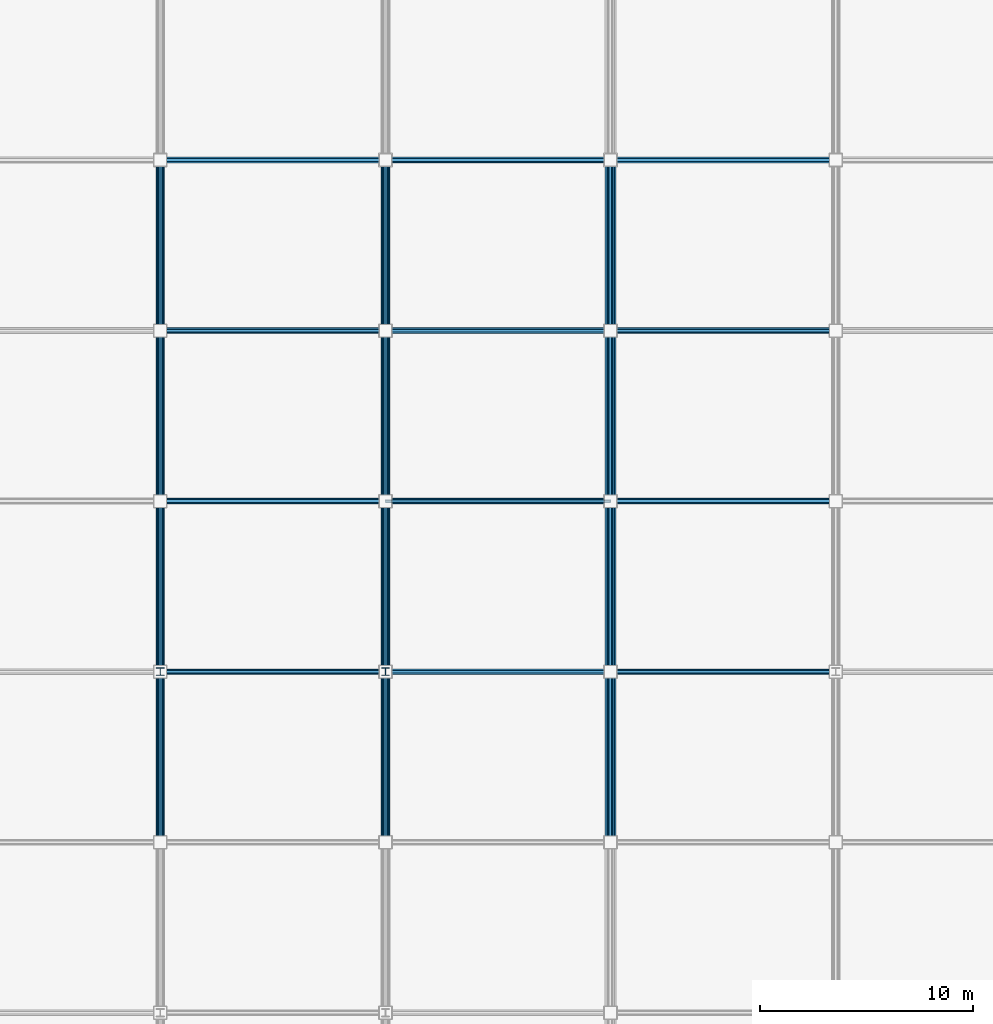
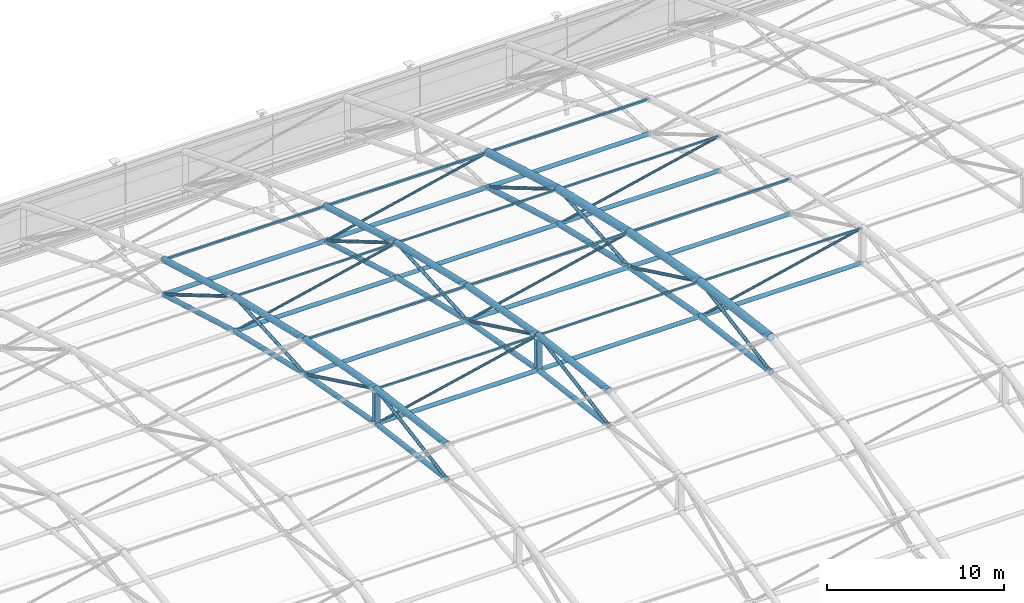
# One storey, part 20 of 42: 68 members.
"""IFC4 building model written with IfcOpenShell, lengths in metres."""

from ifc_helpers import new_model, si_unit, direction, frame, origin, origin_2d, place, context, subcontext, project, spatial, hollow_rectangle, hollow_circle, i_section, extrude, material, material_profile, profile_set, type_object, element, save


model = new_model("IFC4")

# Units and contexts
model_context = context("Model", 3, precision=1e-05, world=origin(), true_north=direction((0.0, 1.0)))
body_context = subcontext(model_context, "Body", "Model", "MODEL_VIEW")
ifc_project = project(units=[si_unit("LENGTHUNIT", "METRE"), si_unit("AREAUNIT", "SQUARE_METRE"), si_unit("VOLUMEUNIT", "CUBIC_METRE"), si_unit("PLANEANGLEUNIT", "RADIAN"), si_unit("MASSUNIT", "GRAM", prefix="KILO")], contexts=[model_context])

# Site, building, storey
site_placement = place(None, origin())
site = spatial("IfcSite", under=ifc_project, at=site_placement, CompositionType="ELEMENT")
building_placement = place(site_placement, origin())
building = spatial("IfcBuilding", under=site, at=building_placement, Name="Caelomonte Colonnade Arena", CompositionType="ELEMENT")
storey_placement = place(building_placement, frame((0.0, 0.0, 28.199951171875)))
storey = spatial("IfcBuildingStorey", under=building, at=storey_placement, Name="RF", CompositionType="ELEMENT", Elevation=28.199951171875)

# Members
ifc_material_1 = material(Name="Wide-flange steel ASTM A992 Grade 50", Category="steel")
ifc_material_profile_1 = material_profile(ifc_material_1, i_section(OverallWidth=0.368896484375, OverallDepth=0.356201171875, WebThickness=0.01123046875, FlangeThickness=0.01806640625, FilletRadius=0.01513671875, at=origin_2d()), Name="W14X90")
ifc_profile_set_1 = profile_set([ifc_material_profile_1], Name="Wide-flange steel ASTM A992 Grade 50")
member_type_1 = type_object("IfcMemberType", Name="STR-CAT-STR", PredefinedType="STRUT", material=ifc_profile_set_1)
for number, where, z_axis, x_axis, name in (
    (1, (89.280029296875, 75.199951171875, 11.68505859375), (0.0, 0.0, 1.0), (1.0, 0.0, 0.0), "Scoreboard rigging catwalk hanger post 3-7"),
    (2, (99.840087890625, 75.199951171875, 11.68505859375), (0.0, 0.0, 1.0), (1.0, 0.0, 0.0), "Scoreboard rigging catwalk hanger post 4-7"),
):
    element("IfcMember", number, at=place(storey_placement, frame(where, z_axis=z_axis, x_axis=x_axis)), inside=storey, type_object=member_type_1, Name=name, PredefinedType="STRUT", context=body_context, shape_type="SweptSolid", body=[
        extrude(i_section(OverallWidth=0.368896484375, OverallDepth=0.356201171875, WebThickness=0.01123046875, FlangeThickness=0.01806640625, FilletRadius=0.01513671875, at=origin_2d()), origin(), (0.0, 0.0, 1.0), 2.199951171875),
    ])
ifc_material_2 = material(Name="Steel ASTM A500 Grade C", Category="steel")
ifc_material_profile_2 = material_profile(ifc_material_2, hollow_circle(Radius=0.177734375, WallThickness=0.0126953125, at=origin_2d()), Name="CHS355.6X12.7")
ifc_profile_set_2 = profile_set([ifc_material_profile_2], Name="Steel ASTM A500 Grade C")
member_type_2 = type_object("IfcMemberType", Name="STR-SF-BC1", PredefinedType="CHORD", material=ifc_profile_set_2)
member_1_placement = place(storey_placement, frame((110.39990234375, 67.201904296875, 12.599853515625), z_axis=(0.0, 0.992048803131, -0.125853773113), x_axis=(-1.0, 0.0, 0.0)))
element("IfcMember", 3, at=member_1_placement, inside=storey, type_object=member_type_2, Name="Arched roof truss bottom chord 5-6", PredefinedType="CHORD", context=body_context, shape_type="SweptSolid", body=[
    extrude(hollow_circle(Radius=0.177734375, WallThickness=0.0126953125, at=origin_2d()), origin(), (0.0, 0.0, 1.0), 8.060302734375),
])
member_2_placement = place(storey_placement, frame((110.39990234375, 75.201904296875, 11.584716796875), z_axis=(0.0, 0.983990820662, -0.178219148393), x_axis=(-1.0, 0.0, 0.0)))
element("IfcMember", 4, at=member_2_placement, inside=storey, type_object=member_type_2, Name="Arched roof truss bottom chord 5-7", PredefinedType="CHORD", context=body_context, shape_type="SweptSolid", body=[
    extrude(hollow_circle(Radius=0.177734375, WallThickness=0.0126953125, at=origin_2d()), origin(), (0.0, 0.0, 1.0), 8.126220703125),
])
member_3_placement = place(storey_placement, frame((110.39990234375, 83.201904296875, 10.135498046875), z_axis=(0.0, 0.973406253466, -0.229085716955), x_axis=(-1.0, 0.0, 0.0)))
element("IfcMember", 5, at=member_3_placement, inside=storey, type_object=member_type_2, Name="Arched roof truss bottom chord 5-8", PredefinedType="CHORD", context=body_context, shape_type="SweptSolid", body=[
    extrude(hollow_circle(Radius=0.177734375, WallThickness=0.0126953125, at=origin_2d()), origin(), (0.0, 0.0, 1.0), 8.214599609375),
])
member_4_placement = place(storey_placement, frame((110.39990234375, 91.201904296875, 8.25244140625), z_axis=(0.0, 0.960531688459, -0.278170586988), x_axis=(-1.0, 0.0, 0.0)))
element("IfcMember", 6, at=member_4_placement, inside=storey, type_object=member_type_2, Name="Arched roof truss bottom chord 5-9", PredefinedType="CHORD", context=body_context, shape_type="SweptSolid", body=[
    extrude(hollow_circle(Radius=0.177734375, WallThickness=0.0126953125, at=origin_2d()), origin(), (0.0, 0.0, 1.0), 8.32470703125),
])
ifc_material_profile_3 = material_profile(ifc_material_2, hollow_circle(Radius=0.161865234375, WallThickness=0.010009765625, at=origin_2d()), Name="CHS323.9X10.0")
ifc_profile_set_3 = profile_set([ifc_material_profile_3], Name="Steel ASTM A500 Grade C")
member_type_3 = type_object("IfcMemberType", Name="STR-SF-BC2", PredefinedType="CHORD", material=ifc_profile_set_3)
member_5_placement = place(storey_placement, frame((89.280029296875, 67.201904296875, 12.599853515625), z_axis=(0.0, 0.992048803131, -0.125853773113), x_axis=(-1.0, 0.0, 0.0)))
element("IfcMember", 7, at=member_5_placement, inside=storey, type_object=member_type_3, Name="Arched roof truss bottom chord 3-6", PredefinedType="CHORD", context=body_context, shape_type="SweptSolid", body=[
    extrude(hollow_circle(Radius=0.161865234375, WallThickness=0.010009765625, at=origin_2d()), origin(), (0.0, 0.0, 1.0), 8.060302734375),
])
member_6_placement = place(storey_placement, frame((89.280029296875, 75.201904296875, 11.584716796875), z_axis=(0.0, 0.983990820662, -0.178219148393), x_axis=(-1.0, 0.0, 0.0)))
element("IfcMember", 8, at=member_6_placement, inside=storey, type_object=member_type_3, Name="Arched roof truss bottom chord 3-7", PredefinedType="CHORD", context=body_context, shape_type="SweptSolid", body=[
    extrude(hollow_circle(Radius=0.161865234375, WallThickness=0.010009765625, at=origin_2d()), origin(), (0.0, 0.0, 1.0), 8.126220703125),
])
member_7_placement = place(storey_placement, frame((89.280029296875, 83.201904296875, 10.135498046875), z_axis=(0.0, 0.973406253466, -0.229085716955), x_axis=(-1.0, 0.0, 0.0)))
element("IfcMember", 9, at=member_7_placement, inside=storey, type_object=member_type_3, Name="Arched roof truss bottom chord 3-8", PredefinedType="CHORD", context=body_context, shape_type="SweptSolid", body=[
    extrude(hollow_circle(Radius=0.161865234375, WallThickness=0.010009765625, at=origin_2d()), origin(), (0.0, 0.0, 1.0), 8.214599609375),
])
member_8_placement = place(storey_placement, frame((89.280029296875, 91.201904296875, 8.25244140625), z_axis=(0.0, 0.960531688459, -0.278170586988), x_axis=(-1.0, 0.0, 0.0)))
element("IfcMember", 10, at=member_8_placement, inside=storey, type_object=member_type_3, Name="Arched roof truss bottom chord 3-9", PredefinedType="CHORD", context=body_context, shape_type="SweptSolid", body=[
    extrude(hollow_circle(Radius=0.161865234375, WallThickness=0.010009765625, at=origin_2d()), origin(), (0.0, 0.0, 1.0), 8.32470703125),
])
member_9_placement = place(storey_placement, frame((99.840087890625, 67.201904296875, 12.599853515625), z_axis=(0.0, 0.992048803131, -0.125853773113), x_axis=(-1.0, 0.0, 0.0)))
element("IfcMember", 11, at=member_9_placement, inside=storey, type_object=member_type_3, Name="Arched roof truss bottom chord 4-6", PredefinedType="CHORD", context=body_context, shape_type="SweptSolid", body=[
    extrude(hollow_circle(Radius=0.161865234375, WallThickness=0.010009765625, at=origin_2d()), origin(), (0.0, 0.0, 1.0), 8.060302734375),
])
member_10_placement = place(storey_placement, frame((99.840087890625, 75.201904296875, 11.584716796875), z_axis=(0.0, 0.983990820662, -0.178219148393), x_axis=(-1.0, 0.0, 0.0)))
element("IfcMember", 12, at=member_10_placement, inside=storey, type_object=member_type_3, Name="Arched roof truss bottom chord 4-7", PredefinedType="CHORD", context=body_context, shape_type="SweptSolid", body=[
    extrude(hollow_circle(Radius=0.161865234375, WallThickness=0.010009765625, at=origin_2d()), origin(), (0.0, 0.0, 1.0), 8.126220703125),
])
member_11_placement = place(storey_placement, frame((99.840087890625, 83.201904296875, 10.135498046875), z_axis=(0.0, 0.973406253466, -0.229085716955), x_axis=(-1.0, 0.0, 0.0)))
element("IfcMember", 13, at=member_11_placement, inside=storey, type_object=member_type_3, Name="Arched roof truss bottom chord 4-8", PredefinedType="CHORD", context=body_context, shape_type="SweptSolid", body=[
    extrude(hollow_circle(Radius=0.161865234375, WallThickness=0.010009765625, at=origin_2d()), origin(), (0.0, 0.0, 1.0), 8.214599609375),
])
member_12_placement = place(storey_placement, frame((99.840087890625, 91.201904296875, 8.25244140625), z_axis=(0.0, 0.960531688459, -0.278170586988), x_axis=(-1.0, 0.0, 0.0)))
element("IfcMember", 14, at=member_12_placement, inside=storey, type_object=member_type_3, Name="Arched roof truss bottom chord 4-9", PredefinedType="CHORD", context=body_context, shape_type="SweptSolid", body=[
    extrude(hollow_circle(Radius=0.161865234375, WallThickness=0.010009765625, at=origin_2d()), origin(), (0.0, 0.0, 1.0), 8.32470703125),
])
ifc_material_profile_4 = material_profile(ifc_material_2, hollow_rectangle(XDim=0.15234375, YDim=0.15234375, WallThickness=0.008056640625, InnerFilletRadius=0.008056640625, OuterFilletRadius=0.01611328125, at=origin_2d()), Name="HSS152X152X8.0")
ifc_profile_set_4 = profile_set([ifc_material_profile_4], Name="Steel ASTM A500 Grade C")
member_type_4 = type_object("IfcMemberType", Name="STR-SF-PUR2", PredefinedType="PURLIN", material=ifc_profile_set_4)
for number, where, z_axis, x_axis, name in (
    (15, (89.281982421875, 83.199951171875, 12.5361328125), (1.0, 0.0, 0.0), (0.0, 1.0, 0.0), "Arched roof purlin 3-8"),
    (16, (89.281982421875, 99.199951171875, 8.3359375), (1.0, 0.0, 0.0), (0.0, 1.0, 0.0), "Arched roof purlin 3-10"),
    (17, (99.842041015625, 83.199951171875, 12.5361328125), (1.0, 0.0, 0.0), (0.0, 1.0, 0.0), "Arched roof purlin 4-8"),
    (18, (99.842041015625, 99.199951171875, 8.3359375), (1.0, 0.0, 0.0), (0.0, 1.0, 0.0), "Arched roof purlin 4-10"),
    (19, (110.402099609375, 83.199951171875, 12.5361328125), (1.0, 0.0, 0.0), (0.0, 1.0, 0.0), "Arched roof purlin 5-8"),
    (20, (110.402099609375, 99.199951171875, 8.3359375), (1.0, 0.0, 0.0), (0.0, 1.0, 0.0), "Arched roof purlin 5-10"),
):
    element("IfcMember", number, at=place(storey_placement, frame(where, z_axis=z_axis, x_axis=x_axis)), inside=storey, type_object=member_type_4, Name=name, PredefinedType="PURLIN", context=body_context, shape_type="SweptSolid", body=[
        extrude(hollow_rectangle(XDim=0.15234375, YDim=0.15234375, WallThickness=0.008056640625, InnerFilletRadius=0.008056640625, OuterFilletRadius=0.01611328125, at=origin_2d()), origin(), (0.0, 0.0, 1.0), 10.555908203125),
    ])
ifc_material_profile_5 = material_profile(ifc_material_2, hollow_rectangle(XDim=0.126953125, YDim=0.126953125, WallThickness=0.00634765625, InnerFilletRadius=0.00634765625, OuterFilletRadius=0.0126953125, at=origin_2d()), Name="HSS127X127X6.4")
ifc_profile_set_5 = profile_set([ifc_material_profile_5], Name="Steel ASTM A500 Grade C")
member_type_5 = type_object("IfcMemberType", Name="STR-SF-PUR3", PredefinedType="PURLIN", material=ifc_profile_set_5)
for number, where, z_axis, x_axis, name in (
    (21, (89.281982421875, 75.199951171875, 13.985107421875), (1.0, 0.0, 0.0), (0.0, 1.0, 0.0), "Arched roof purlin 3-7"),
    (22, (89.281982421875, 91.199951171875, 10.653076171875), (1.0, 0.0, 0.0), (0.0, 1.0, 0.0), "Arched roof purlin 3-9"),
    (23, (99.842041015625, 75.199951171875, 13.985107421875), (1.0, 0.0, 0.0), (0.0, 1.0, 0.0), "Arched roof purlin 4-7"),
    (24, (99.842041015625, 91.199951171875, 10.653076171875), (1.0, 0.0, 0.0), (0.0, 1.0, 0.0), "Arched roof purlin 4-9"),
    (25, (110.402099609375, 75.199951171875, 13.985107421875), (1.0, 0.0, 0.0), (0.0, 1.0, 0.0), "Arched roof purlin 5-7"),
    (26, (110.402099609375, 91.199951171875, 10.653076171875), (1.0, 0.0, 0.0), (0.0, 1.0, 0.0), "Arched roof purlin 5-9"),
):
    element("IfcMember", number, at=place(storey_placement, frame(where, z_axis=z_axis, x_axis=x_axis)), inside=storey, type_object=member_type_5, Name=name, PredefinedType="PURLIN", context=body_context, shape_type="SweptSolid", body=[
        extrude(hollow_rectangle(XDim=0.126953125, YDim=0.126953125, WallThickness=0.00634765625, InnerFilletRadius=0.00634765625, OuterFilletRadius=0.0126953125, at=origin_2d()), origin(), (0.0, 0.0, 1.0), 10.555908203125),
    ])
ifc_material_profile_6 = material_profile(ifc_material_2, hollow_circle(Radius=0.25390625, WallThickness=0.015869140625, at=origin_2d()), Name="CHS508X15.9")
ifc_profile_set_6 = profile_set([ifc_material_profile_6], Name="Steel ASTM A500 Grade C")
member_type_6 = type_object("IfcMemberType", Name="STR-SF-TC1", PredefinedType="CHORD", material=ifc_profile_set_6)
member_13_placement = place(storey_placement, frame((110.39990234375, 67.201904296875, 14.999755859375), z_axis=(0.0, 0.992048803131, -0.125853773113), x_axis=(-1.0, 0.0, 0.0)))
element("IfcMember", 27, at=member_13_placement, inside=storey, type_object=member_type_6, Name="Arched roof truss top chord 5-6", PredefinedType="CHORD", context=body_context, shape_type="SweptSolid", body=[
    extrude(hollow_circle(Radius=0.25390625, WallThickness=0.015869140625, at=origin_2d()), origin(), (0.0, 0.0, 1.0), 8.060302734375),
])
member_14_placement = place(storey_placement, frame((110.39990234375, 75.201904296875, 13.984619140625), z_axis=(0.0, 0.983990820662, -0.178219148393), x_axis=(-1.0, 0.0, 0.0)))
element("IfcMember", 28, at=member_14_placement, inside=storey, type_object=member_type_6, Name="Arched roof truss top chord 5-7", PredefinedType="CHORD", context=body_context, shape_type="SweptSolid", body=[
    extrude(hollow_circle(Radius=0.25390625, WallThickness=0.015869140625, at=origin_2d()), origin(), (0.0, 0.0, 1.0), 8.126220703125),
])
member_15_placement = place(storey_placement, frame((110.39990234375, 83.201904296875, 12.53564453125), z_axis=(0.0, 0.973399625624, -0.229113877441), x_axis=(-1.0, 0.0, 0.0)))
element("IfcMember", 29, at=member_15_placement, inside=storey, type_object=member_type_6, Name="Arched roof truss top chord 5-8", PredefinedType="CHORD", context=body_context, shape_type="SweptSolid", body=[
    extrude(hollow_circle(Radius=0.25390625, WallThickness=0.015869140625, at=origin_2d()), origin(), (0.0, 0.0, 1.0), 8.214599609375),
])
member_16_placement = place(storey_placement, frame((110.39990234375, 91.201904296875, 10.65234375), z_axis=(0.0, 0.960531688459, -0.278170586988), x_axis=(-1.0, 0.0, 0.0)))
element("IfcMember", 30, at=member_16_placement, inside=storey, type_object=member_type_6, Name="Arched roof truss top chord 5-9", PredefinedType="CHORD", context=body_context, shape_type="SweptSolid", body=[
    extrude(hollow_circle(Radius=0.25390625, WallThickness=0.015869140625, at=origin_2d()), origin(), (0.0, 0.0, 1.0), 8.32470703125),
])
ifc_material_profile_7 = material_profile(ifc_material_2, hollow_circle(Radius=0.203125, WallThickness=0.0126953125, at=origin_2d()), Name="CHS406.4X12.7")
ifc_profile_set_7 = profile_set([ifc_material_profile_7], Name="Steel ASTM A500 Grade C")
member_type_7 = type_object("IfcMemberType", Name="STR-SF-TC2", PredefinedType="CHORD", material=ifc_profile_set_7)
member_17_placement = place(storey_placement, frame((89.280029296875, 67.201904296875, 14.999755859375), z_axis=(0.0, 0.992048803131, -0.125853773113), x_axis=(-1.0, 0.0, 0.0)))
element("IfcMember", 31, at=member_17_placement, inside=storey, type_object=member_type_7, Name="Arched roof truss top chord 3-6", PredefinedType="CHORD", context=body_context, shape_type="SweptSolid", body=[
    extrude(hollow_circle(Radius=0.203125, WallThickness=0.0126953125, at=origin_2d()), origin(), (0.0, 0.0, 1.0), 8.060302734375),
])
member_18_placement = place(storey_placement, frame((89.280029296875, 75.201904296875, 13.984619140625), z_axis=(0.0, 0.983990820662, -0.178219148393), x_axis=(-1.0, 0.0, 0.0)))
element("IfcMember", 32, at=member_18_placement, inside=storey, type_object=member_type_7, Name="Arched roof truss top chord 3-7", PredefinedType="CHORD", context=body_context, shape_type="SweptSolid", body=[
    extrude(hollow_circle(Radius=0.203125, WallThickness=0.0126953125, at=origin_2d()), origin(), (0.0, 0.0, 1.0), 8.126220703125),
])
member_19_placement = place(storey_placement, frame((89.280029296875, 83.201904296875, 12.53564453125), z_axis=(0.0, 0.973399625624, -0.229113877441), x_axis=(-1.0, 0.0, 0.0)))
element("IfcMember", 33, at=member_19_placement, inside=storey, type_object=member_type_7, Name="Arched roof truss top chord 3-8", PredefinedType="CHORD", context=body_context, shape_type="SweptSolid", body=[
    extrude(hollow_circle(Radius=0.203125, WallThickness=0.0126953125, at=origin_2d()), origin(), (0.0, 0.0, 1.0), 8.214599609375),
])
member_20_placement = place(storey_placement, frame((89.280029296875, 91.201904296875, 10.65234375), z_axis=(0.0, 0.960531688459, -0.278170586988), x_axis=(-1.0, 0.0, 0.0)))
element("IfcMember", 34, at=member_20_placement, inside=storey, type_object=member_type_7, Name="Arched roof truss top chord 3-9", PredefinedType="CHORD", context=body_context, shape_type="SweptSolid", body=[
    extrude(hollow_circle(Radius=0.203125, WallThickness=0.0126953125, at=origin_2d()), origin(), (0.0, 0.0, 1.0), 8.32470703125),
])
member_21_placement = place(storey_placement, frame((99.840087890625, 67.201904296875, 14.999755859375), z_axis=(0.0, 0.992048803131, -0.125853773113), x_axis=(-1.0, 0.0, 0.0)))
element("IfcMember", 35, at=member_21_placement, inside=storey, type_object=member_type_7, Name="Arched roof truss top chord 4-6", PredefinedType="CHORD", context=body_context, shape_type="SweptSolid", body=[
    extrude(hollow_circle(Radius=0.203125, WallThickness=0.0126953125, at=origin_2d()), origin(), (0.0, 0.0, 1.0), 8.060302734375),
])
member_22_placement = place(storey_placement, frame((99.840087890625, 75.201904296875, 13.984619140625), z_axis=(0.0, 0.983990820662, -0.178219148393), x_axis=(-1.0, 0.0, 0.0)))
element("IfcMember", 36, at=member_22_placement, inside=storey, type_object=member_type_7, Name="Arched roof truss top chord 4-7", PredefinedType="CHORD", context=body_context, shape_type="SweptSolid", body=[
    extrude(hollow_circle(Radius=0.203125, WallThickness=0.0126953125, at=origin_2d()), origin(), (0.0, 0.0, 1.0), 8.126220703125),
])
member_23_placement = place(storey_placement, frame((99.840087890625, 83.201904296875, 12.53564453125), z_axis=(0.0, 0.973399625624, -0.229113877441), x_axis=(-1.0, 0.0, 0.0)))
element("IfcMember", 37, at=member_23_placement, inside=storey, type_object=member_type_7, Name="Arched roof truss top chord 4-8", PredefinedType="CHORD", context=body_context, shape_type="SweptSolid", body=[
    extrude(hollow_circle(Radius=0.203125, WallThickness=0.0126953125, at=origin_2d()), origin(), (0.0, 0.0, 1.0), 8.214599609375),
])
member_24_placement = place(storey_placement, frame((99.840087890625, 91.201904296875, 10.65234375), z_axis=(0.0, 0.960531688459, -0.278170586988), x_axis=(-1.0, 0.0, 0.0)))
element("IfcMember", 38, at=member_24_placement, inside=storey, type_object=member_type_7, Name="Arched roof truss top chord 4-9", PredefinedType="CHORD", context=body_context, shape_type="SweptSolid", body=[
    extrude(hollow_circle(Radius=0.203125, WallThickness=0.0126953125, at=origin_2d()), origin(), (0.0, 0.0, 1.0), 8.32470703125),
])
ifc_material_profile_8 = material_profile(ifc_material_2, hollow_circle(Radius=0.136474609375, WallThickness=0.00927734375, at=origin_2d()), Name="CHS273.0X9.3")
ifc_profile_set_8 = profile_set([ifc_material_profile_8], Name="Steel ASTM A500 Grade C")
member_type_8 = type_object("IfcMemberType", Name="STR-SF-TIE", PredefinedType="STRUT", material=ifc_profile_set_8)
for number, where, z_axis, x_axis, name in (
    (39, (89.281982421875, 75.199951171875, 11.5849609375), (1.0, 0.0, 0.0), (0.0, 1.0, 0.0), "Space frame roof tie strut 3-7"),
    (40, (89.281982421875, 83.199951171875, 10.135986328125), (1.0, 0.0, 0.0), (0.0, 1.0, 0.0), "Space frame roof tie strut 3-8"),
    (41, (89.281982421875, 91.199951171875, 8.2529296875), (1.0, 0.0, 0.0), (0.0, 1.0, 0.0), "Space frame roof tie strut 3-9"),
    (42, (89.281982421875, 99.199951171875, 5.93603515625), (1.0, 0.0, 0.0), (0.0, 1.0, 0.0), "Space frame roof tie strut 3-10"),
    (43, (99.842041015625, 75.199951171875, 11.5849609375), (1.0, 0.0, 0.0), (0.0, 1.0, 0.0), "Space frame roof tie strut 4-7"),
    (44, (99.842041015625, 83.199951171875, 10.135986328125), (1.0, 0.0, 0.0), (0.0, 1.0, 0.0), "Space frame roof tie strut 4-8"),
    (45, (99.842041015625, 91.199951171875, 8.2529296875), (1.0, 0.0, 0.0), (0.0, 1.0, 0.0), "Space frame roof tie strut 4-9"),
    (46, (99.842041015625, 99.199951171875, 5.93603515625), (1.0, 0.0, 0.0), (0.0, 1.0, 0.0), "Space frame roof tie strut 4-10"),
    (47, (110.402099609375, 75.199951171875, 11.5849609375), (1.0, 0.0, 0.0), (0.0, 1.0, 0.0), "Space frame roof tie strut 5-7"),
    (48, (110.402099609375, 83.199951171875, 10.135986328125), (1.0, 0.0, 0.0), (0.0, 1.0, 0.0), "Space frame roof tie strut 5-8"),
    (49, (110.402099609375, 91.199951171875, 8.2529296875), (1.0, 0.0, 0.0), (0.0, 1.0, 0.0), "Space frame roof tie strut 5-9"),
    (50, (110.402099609375, 99.199951171875, 5.93603515625), (1.0, 0.0, 0.0), (0.0, 1.0, 0.0), "Space frame roof tie strut 5-10"),
):
    element("IfcMember", number, at=place(storey_placement, frame(where, z_axis=z_axis, x_axis=x_axis)), inside=storey, type_object=member_type_8, Name=name, PredefinedType="STRUT", context=body_context, shape_type="SweptSolid", body=[
        extrude(hollow_circle(Radius=0.136474609375, WallThickness=0.00927734375, at=origin_2d()), origin(), (0.0, 0.0, 1.0), 10.555908203125),
    ])
ifc_material_profile_9 = material_profile(ifc_material_2, hollow_circle(Radius=0.109619140625, WallThickness=0.00830078125, at=origin_2d()), Name="CHS219.1X8.2")
ifc_profile_set_9 = profile_set([ifc_material_profile_9], Name="Steel ASTM A500 Grade C")
member_type_9 = type_object("IfcMemberType", Name="STR-SF-WEB1", PredefinedType="BRACE", material=ifc_profile_set_9)
member_25_placement = place(storey_placement, frame((89.280029296875, 67.201904296875, 12.600341796875), z_axis=(0.0, 0.985338447855, 0.1706110875), x_axis=(-1.0, 0.0, 0.0)))
element("IfcMember", 51, at=member_25_placement, inside=storey, type_object=member_type_9, Name="Space frame roof truss web diagonal 3-6", PredefinedType="BRACE", context=body_context, shape_type="SweptSolid", body=[
    extrude(hollow_circle(Radius=0.109619140625, WallThickness=0.00830078125, at=origin_2d()), origin(), (0.0, 0.0, 1.0), 8.114990234375),
])
member_26_placement = place(storey_placement, frame((89.280029296875, 75.201904296875, 13.984130859375), z_axis=(0.0, 0.901130279028, -0.433548405854), x_axis=(-1.0, 0.0, 0.0)))
element("IfcMember", 52, at=member_26_placement, inside=storey, type_object=member_type_9, Name="Space frame roof truss web diagonal 3-7", PredefinedType="BRACE", context=body_context, shape_type="SweptSolid", body=[
    extrude(hollow_circle(Radius=0.109619140625, WallThickness=0.00830078125, at=origin_2d()), origin(), (0.0, 0.0, 1.0), 8.873779296875),
])
member_27_placement = place(storey_placement, frame((89.280029296875, 83.201904296875, 10.13623046875), z_axis=(0.0, 0.997919495279, 0.064472326942), x_axis=(-1.0, 0.0, 0.0)))
element("IfcMember", 53, at=member_27_placement, inside=storey, type_object=member_type_9, Name="Space frame roof truss web diagonal 3-8", PredefinedType="BRACE", context=body_context, shape_type="SweptSolid", body=[
    extrude(hollow_circle(Radius=0.109619140625, WallThickness=0.00830078125, at=origin_2d()), origin(), (0.0, 0.0, 1.0), 8.0126953125),
])
member_28_placement = place(storey_placement, frame((89.280029296875, 91.20166015625, 10.652099609375), z_axis=(0.0, 0.861405734482, -0.507917474203), x_axis=(-1.0, 0.0, 0.0)))
element("IfcMember", 54, at=member_28_placement, inside=storey, type_object=member_type_9, Name="Space frame roof truss web diagonal 3-9", PredefinedType="BRACE", context=body_context, shape_type="SweptSolid", body=[
    extrude(hollow_circle(Radius=0.109619140625, WallThickness=0.00830078125, at=origin_2d()), origin(), (0.0, 0.0, 1.0), 9.283203125),
])
member_29_placement = place(storey_placement, frame((99.840087890625, 67.201904296875, 12.600341796875), z_axis=(0.0, 0.985338447855, 0.1706110875), x_axis=(-1.0, 0.0, 0.0)))
element("IfcMember", 55, at=member_29_placement, inside=storey, type_object=member_type_9, Name="Space frame roof truss web diagonal 4-6", PredefinedType="BRACE", context=body_context, shape_type="SweptSolid", body=[
    extrude(hollow_circle(Radius=0.109619140625, WallThickness=0.00830078125, at=origin_2d()), origin(), (0.0, 0.0, 1.0), 8.114990234375),
])
member_30_placement = place(storey_placement, frame((99.840087890625, 75.201904296875, 13.984130859375), z_axis=(0.0, 0.901130279028, -0.433548405854), x_axis=(-1.0, 0.0, 0.0)))
element("IfcMember", 56, at=member_30_placement, inside=storey, type_object=member_type_9, Name="Space frame roof truss web diagonal 4-7", PredefinedType="BRACE", context=body_context, shape_type="SweptSolid", body=[
    extrude(hollow_circle(Radius=0.109619140625, WallThickness=0.00830078125, at=origin_2d()), origin(), (0.0, 0.0, 1.0), 8.873779296875),
])
member_31_placement = place(storey_placement, frame((99.840087890625, 83.201904296875, 10.13623046875), z_axis=(0.0, 0.997919495279, 0.064472326942), x_axis=(-1.0, 0.0, 0.0)))
element("IfcMember", 57, at=member_31_placement, inside=storey, type_object=member_type_9, Name="Space frame roof truss web diagonal 4-8", PredefinedType="BRACE", context=body_context, shape_type="SweptSolid", body=[
    extrude(hollow_circle(Radius=0.109619140625, WallThickness=0.00830078125, at=origin_2d()), origin(), (0.0, 0.0, 1.0), 8.0126953125),
])
member_32_placement = place(storey_placement, frame((99.840087890625, 91.20166015625, 10.652099609375), z_axis=(0.0, 0.861405734482, -0.507917474203), x_axis=(-1.0, 0.0, 0.0)))
element("IfcMember", 58, at=member_32_placement, inside=storey, type_object=member_type_9, Name="Space frame roof truss web diagonal 4-9", PredefinedType="BRACE", context=body_context, shape_type="SweptSolid", body=[
    extrude(hollow_circle(Radius=0.109619140625, WallThickness=0.00830078125, at=origin_2d()), origin(), (0.0, 0.0, 1.0), 9.283203125),
])
member_33_placement = place(storey_placement, frame((110.39990234375, 67.201904296875, 12.600341796875), z_axis=(0.0, 0.985338447855, 0.1706110875), x_axis=(-1.0, 0.0, 0.0)))
element("IfcMember", 59, at=member_33_placement, inside=storey, type_object=member_type_9, Name="Space frame roof truss web diagonal 5-6", PredefinedType="BRACE", context=body_context, shape_type="SweptSolid", body=[
    extrude(hollow_circle(Radius=0.109619140625, WallThickness=0.00830078125, at=origin_2d()), origin(), (0.0, 0.0, 1.0), 8.114990234375),
])
member_34_placement = place(storey_placement, frame((110.39990234375, 75.201904296875, 13.984130859375), z_axis=(0.0, 0.901130279028, -0.433548405854), x_axis=(-1.0, 0.0, 0.0)))
element("IfcMember", 60, at=member_34_placement, inside=storey, type_object=member_type_9, Name="Space frame roof truss web diagonal 5-7", PredefinedType="BRACE", context=body_context, shape_type="SweptSolid", body=[
    extrude(hollow_circle(Radius=0.109619140625, WallThickness=0.00830078125, at=origin_2d()), origin(), (0.0, 0.0, 1.0), 8.873779296875),
])
member_35_placement = place(storey_placement, frame((110.39990234375, 83.201904296875, 10.13623046875), z_axis=(0.0, 0.997919495279, 0.064472326942), x_axis=(-1.0, 0.0, 0.0)))
element("IfcMember", 61, at=member_35_placement, inside=storey, type_object=member_type_9, Name="Space frame roof truss web diagonal 5-8", PredefinedType="BRACE", context=body_context, shape_type="SweptSolid", body=[
    extrude(hollow_circle(Radius=0.109619140625, WallThickness=0.00830078125, at=origin_2d()), origin(), (0.0, 0.0, 1.0), 8.0126953125),
])
member_36_placement = place(storey_placement, frame((110.39990234375, 91.20166015625, 10.652099609375), z_axis=(0.0, 0.861405734482, -0.507917474203), x_axis=(-1.0, 0.0, 0.0)))
element("IfcMember", 62, at=member_36_placement, inside=storey, type_object=member_type_9, Name="Space frame roof truss web diagonal 5-9", PredefinedType="BRACE", context=body_context, shape_type="SweptSolid", body=[
    extrude(hollow_circle(Radius=0.109619140625, WallThickness=0.00830078125, at=origin_2d()), origin(), (0.0, 0.0, 1.0), 9.283203125),
])
ifc_material_profile_10 = material_profile(ifc_material_2, hollow_circle(Radius=0.084228515625, WallThickness=0.007080078125, at=origin_2d()), Name="CHS168.3X7.1")
ifc_profile_set_10 = profile_set([ifc_material_profile_10], Name="Steel ASTM A500 Grade C")
member_type_10 = type_object("IfcMemberType", Name="STR-SF-WEB2", PredefinedType="BRACE", material=ifc_profile_set_10)
for number, where, z_axis, x_axis, name in (
    (63, (89.281982421875, 75.199951171875, 11.58544921875), (0.975130861858, 0.0, 0.221629876714), (0.0, 1.0, 0.0), "Space frame transverse diagonal 3-7"),
    (64, (89.281982421875, 91.199951171875, 8.25341796875), (0.975130861858, 0.0, 0.221629876714), (0.0, 1.0, 0.0), "Space frame transverse diagonal 3-9"),
    (65, (99.842041015625, 83.199951171875, 10.136474609375), (0.975130861858, 0.0, 0.221629876714), (0.0, 1.0, 0.0), "Space frame transverse diagonal 4-8"),
    (66, (99.842041015625, 99.199951171875, 5.9365234375), (0.975130861858, 0.0, 0.221629876714), (0.0, 1.0, 0.0), "Space frame transverse diagonal 4-10"),
    (67, (110.402099609375, 75.199951171875, 11.58544921875), (0.975130861858, 0.0, 0.221629876714), (0.0, 1.0, 0.0), "Space frame transverse diagonal 5-7"),
    (68, (110.402099609375, 91.199951171875, 8.25341796875), (0.975130861858, 0.0, 0.221629876714), (0.0, 1.0, 0.0), "Space frame transverse diagonal 5-9"),
):
    element("IfcMember", number, at=place(storey_placement, frame(where, z_axis=z_axis, x_axis=x_axis)), inside=storey, type_object=member_type_10, Name=name, PredefinedType="BRACE", context=body_context, shape_type="SweptSolid", body=[
        extrude(hollow_circle(Radius=0.084228515625, WallThickness=0.007080078125, at=origin_2d()), origin(), (0.0, 0.0, 1.0), 10.8251953125),
    ])

save(model, "model.ifc")
